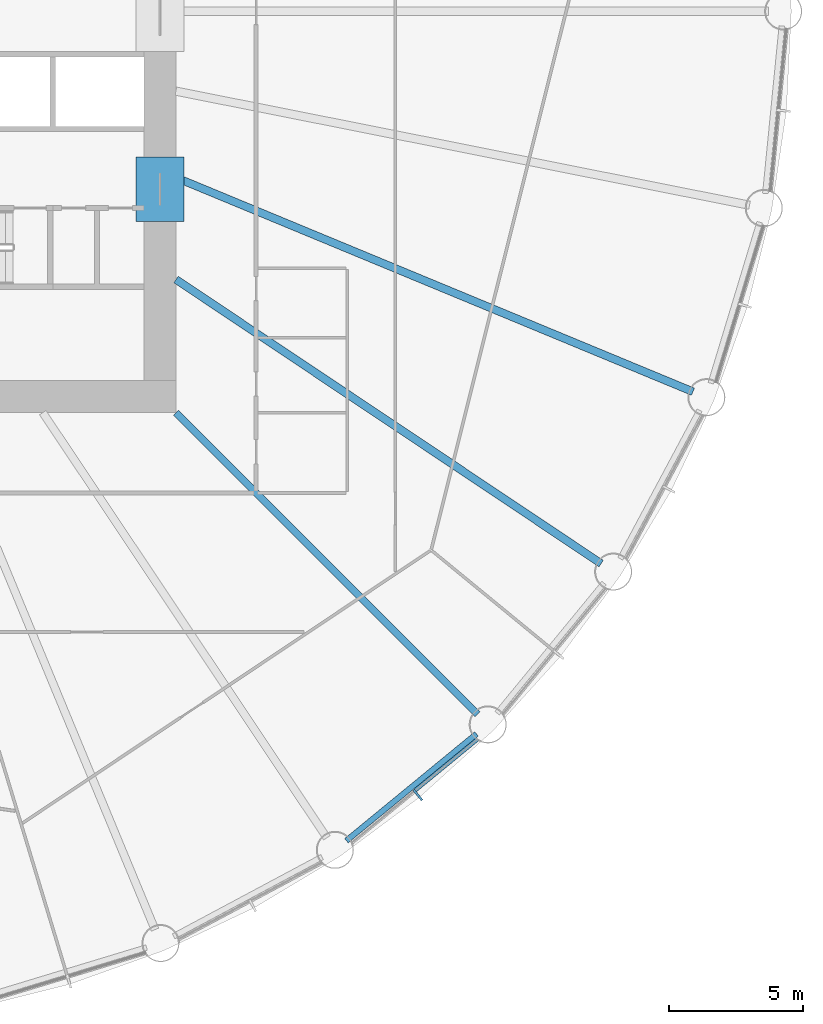
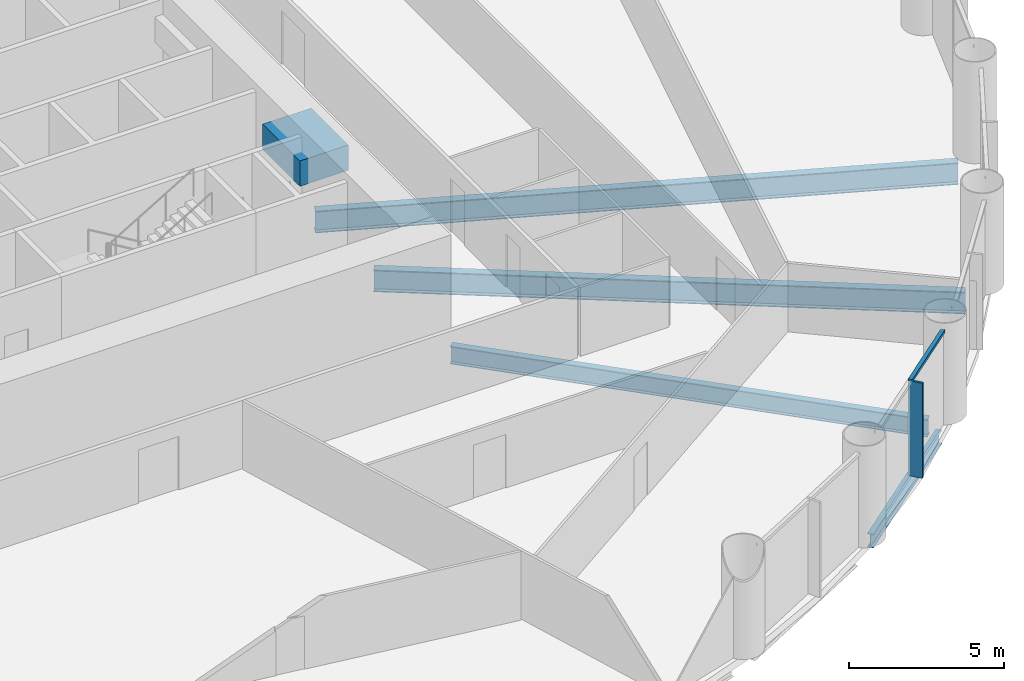
# One storey, part 3 of 15: 5 beams, 2 members, 1 element without a shape of its own.
"""IFC4 building model written with IfcOpenShell, lengths in metres."""

from ifc_helpers import new_model, si_unit, direction, frame, origin, origin_2d, place, context, subcontext, project, spatial, rectangle, i_section, extrude, material, material_profile, profile_set, type_object, element, aggregate, save


model = new_model("IFC4")

# Units and contexts
model_context = context("Model", 3, precision=1e-05, world=origin(), true_north=direction((0.0, 1.0)))
body_context = subcontext(model_context, "Body", "Model", "MODEL_VIEW")
ifc_project = project(units=[si_unit("LENGTHUNIT", "METRE"), si_unit("AREAUNIT", "SQUARE_METRE"), si_unit("VOLUMEUNIT", "CUBIC_METRE"), si_unit("PLANEANGLEUNIT", "RADIAN"), si_unit("MASSUNIT", "GRAM", prefix="KILO")], contexts=[model_context])

# Site, building, storey
site_placement = place(None, origin())
site = spatial("IfcSite", under=ifc_project, at=site_placement, CompositionType="ELEMENT")
building_placement = place(site_placement, origin())
building = spatial("IfcBuilding", under=site, at=building_placement, Name="Corvane Civic Tower", CompositionType="ELEMENT")
storey_placement = place(building_placement, frame((0.0, 0.0, 69.0)))
storey = spatial("IfcBuildingStorey", under=building, at=storey_placement, Name="L15", CompositionType="ELEMENT", Elevation=69.0)

# Beams
ifc_material_1 = material(Name="Concrete C80/95", Category="concrete")
ifc_material_profile_1 = material_profile(ifc_material_1, rectangle(XDim=1.800048828125, YDim=1.0, at=origin_2d()), Name="COUPLING BEAM 1800X1000")
ifc_profile_set_1 = profile_set([ifc_material_profile_1], Name="Concrete C80/95")
beam_type_1 = type_object("IfcBeamType", Name="COUPLING BEAM COUPLING BEAM 1800X1000", PredefinedType="BEAM", material=ifc_profile_set_1)
beam_1_placement = place(storey_placement, frame((14.39990234375, -7.85009765625, 2.60009765625), z_axis=(0.0, 1.0, 0.0), x_axis=(-1.0, 0.0, 0.0)))
element("IfcBeam", 1, at=beam_1_placement, inside=storey, type_object=beam_type_1, Name="BM-L15-cpl-CW-ES", PredefinedType="BEAM", context=body_context, shape_type="SweptSolid", body=[
    extrude(rectangle(XDim=1.800048828125, YDim=1.0, at=origin_2d()), origin(), (0.0, 0.0, 1.0), 2.400146484375),
])
ifc_material_2 = material(Name="Steel ASTM A992 Gr 50", Category="steel")
ifc_material_profile_2 = material_profile(ifc_material_2, i_section(OverallWidth=0.209228515625, OverallDepth=0.533447265625, WebThickness=0.01025390625, FlangeThickness=0.015625, at=origin_2d()), Name="W21X62")
ifc_profile_set_2 = profile_set([ifc_material_profile_2], Name="Steel ASTM A992 Gr 50")
beam_type_2 = type_object("IfcBeamType", Name="EDGE BEAM W21X62", PredefinedType="BEAM", material=ifc_profile_set_2)
beam_2_placement = place(storey_placement, frame((26.23291015625, -27.0068359375, -0.566650390625), z_axis=(-0.773015785286, -0.634386787141, 0.0), x_axis=(0.634386787141, -0.773015785286, 0.0)))
element("IfcBeam", 2, at=beam_2_placement, inside=storey, type_object=beam_type_2, Name="BM-L15-E13", PredefinedType="BEAM", context=body_context, shape_type="SweptSolid", body=[
    extrude(i_section(OverallWidth=0.209228515625, OverallDepth=0.533447265625, WebThickness=0.01025390625, FlangeThickness=0.015625, at=origin_2d()), origin(), (0.0, 0.0, 1.0), 6.290771484375),
])
ifc_material_3 = material(Name="Steel ASTM A992 Gr 50", Category="steel")
ifc_material_profile_3 = material_profile(ifc_material_3, i_section(OverallWidth=0.256591796875, OverallDepth=0.693359375, WebThickness=0.014404296875, FlangeThickness=0.023681640625, at=origin_2d()), Name="W27X114")
ifc_profile_set_3 = profile_set([ifc_material_profile_3], Name="Steel ASTM A992 Gr 50")
beam_type_3 = type_object("IfcBeamType", Name="FLOOR GIRDER W27X114", PredefinedType="BEAM", material=ifc_profile_set_3)
beam_3_placement = place(storey_placement, frame((15.0, -15.0, -0.646728515625), z_axis=(0.707106781187, -0.707106781187, 0.0), x_axis=(0.707106781187, 0.707106781187, 0.0)))
element("IfcBeam", 3, at=beam_3_placement, inside=storey, type_object=beam_type_3, Name="BM-L15-G13", PredefinedType="BEAM", context=body_context, shape_type="SweptSolid", body=[
    extrude(i_section(OverallWidth=0.256591796875, OverallDepth=0.693359375, WebThickness=0.014404296875, FlangeThickness=0.023681640625, at=origin_2d()), origin(), (0.0, 0.0, 1.0), 15.936767578125),
])
ifc_material_4 = material(Name="Steel ASTM A992 Gr 50", Category="steel")
ifc_material_profile_4 = material_profile(ifc_material_4, i_section(OverallWidth=0.2919921875, OverallDepth=0.8583984375, WebThickness=0.01708984375, FlangeThickness=0.031005859375, at=origin_2d()), Name="W33X169")
ifc_profile_set_4 = profile_set([ifc_material_profile_4], Name="Steel ASTM A992 Gr 50")
beam_type_4 = type_object("IfcBeamType", Name="FLOOR GIRDER W33X169", PredefinedType="BEAM", material=ifc_profile_set_4)
beam_4_placement = place(storey_placement, frame((15.0, -6.213134765625, -0.729248046875), z_axis=(0.923875834355, -0.382692360381, 0.0), x_axis=(0.382692360381, 0.923875834355, 0.0)))
element("IfcBeam", 4, at=beam_4_placement, inside=storey, type_object=beam_type_4, Name="BM-L15-G11", PredefinedType="BEAM", context=body_context, shape_type="SweptSolid", body=[
    extrude(i_section(OverallWidth=0.2919921875, OverallDepth=0.8583984375, WebThickness=0.01708984375, FlangeThickness=0.031005859375, at=origin_2d()), origin(), (0.0, 0.0, 1.0), 20.9140625),
])
beam_5_placement = place(storey_placement, frame((15.0, -10.022705078125, -0.729248046875), z_axis=(0.831471985418, -0.555566681385, 0.0), x_axis=(0.555566681385, 0.831471985418, 0.0)))
element("IfcBeam", 5, at=beam_5_placement, inside=storey, type_object=beam_type_4, Name="BM-L15-G12", PredefinedType="BEAM", context=body_context, shape_type="SweptSolid", body=[
    extrude(i_section(OverallWidth=0.2919921875, OverallDepth=0.8583984375, WebThickness=0.01708984375, FlangeThickness=0.031005859375, at=origin_2d()), origin(), (0.0, 0.0, 1.0), 19.109619140625),
])

# Curtain wall, members
ifc_material_5 = material(Name="Anodised aluminium bronze", Category="aluminium")
curtain_wall_type = type_object("IfcCurtainWallType", Name="TOWER CW-T1 STICK CURTAIN WALL", PredefinedType="NOTDEFINED", material=ifc_material_5)
curtain_wall_placement = place(storey_placement, origin())
curtain_wall = element("IfcCurtainWall", 6, at=curtain_wall_placement, inside=storey, type_object=curtain_wall_type, Name="Curtain wall CW-T1 L15 bay 13", PredefinedType="NOTDEFINED")
ifc_material_6 = material(Name="Anodised aluminium bronze", Category="aluminium")
ifc_material_profile_5 = material_profile(ifc_material_6, rectangle(XDim=0.139892578125, YDim=0.1201171875, at=origin_2d()), Name="TOWER CW-T1 TRANSOM 140x120")
ifc_profile_set_5 = profile_set([ifc_material_profile_5], Name="Anodised aluminium bronze")
member_type_1 = type_object("IfcMemberType", Name="TOWER CW-T1 TRANSOM 140x120", PredefinedType="USERDEFINED", material=ifc_profile_set_5)
member_1_placement = place(storey_placement, frame((26.271728515625, -27.20654296875, 3.68994140625), z_axis=(-0.773001943873, -0.634403652865, 0.0), x_axis=(0.634403652865, -0.773001943873, 0.0)))
member_1 = element("IfcMember", 7, at=member_1_placement, type_object=member_type_1, Name="Transom CW-T1 L15 13.1", ObjectType="TRANSOM", PredefinedType="USERDEFINED", context=body_context, shape_type="SweptSolid", body=[
    extrude(rectangle(XDim=0.139892578125, YDim=0.1201171875, at=origin_2d()), origin(), (0.0, 0.0, 1.0), 3.008544921875),
])
ifc_material_7 = material(Name="Anodised aluminium bronze", Category="aluminium")
ifc_material_profile_6 = material_profile(ifc_material_7, rectangle(XDim=0.080078125, YDim=0.5, at=origin_2d()), Name="TOWER FIN MULLION 80x500 BRONZE")
ifc_profile_set_6 = profile_set([ifc_material_profile_6], Name="Anodised aluminium bronze")
member_type_2 = type_object("IfcMemberType", Name="TOWER FIN MULLION 80x500 BRONZE", PredefinedType="MULLION", material=ifc_profile_set_6)
member_2_placement = place(storey_placement, frame((24.0419921875, -29.295166015625, 0.0), z_axis=(0.0, 0.0, 1.0), x_axis=(-0.773007224463, -0.634397218569, 0.0)))
member_2 = element("IfcMember", 8, at=member_2_placement, type_object=member_type_2, Name="Fin mullion 13 L15", PredefinedType="MULLION", context=body_context, shape_type="SweptSolid", body=[
    extrude(rectangle(XDim=0.080078125, YDim=0.5, at=origin_2d()), origin(), (0.0, 0.0, 1.0), 3.75),
])
aggregate(curtain_wall, [member_2, member_1])

save(model, "model.ifc")
